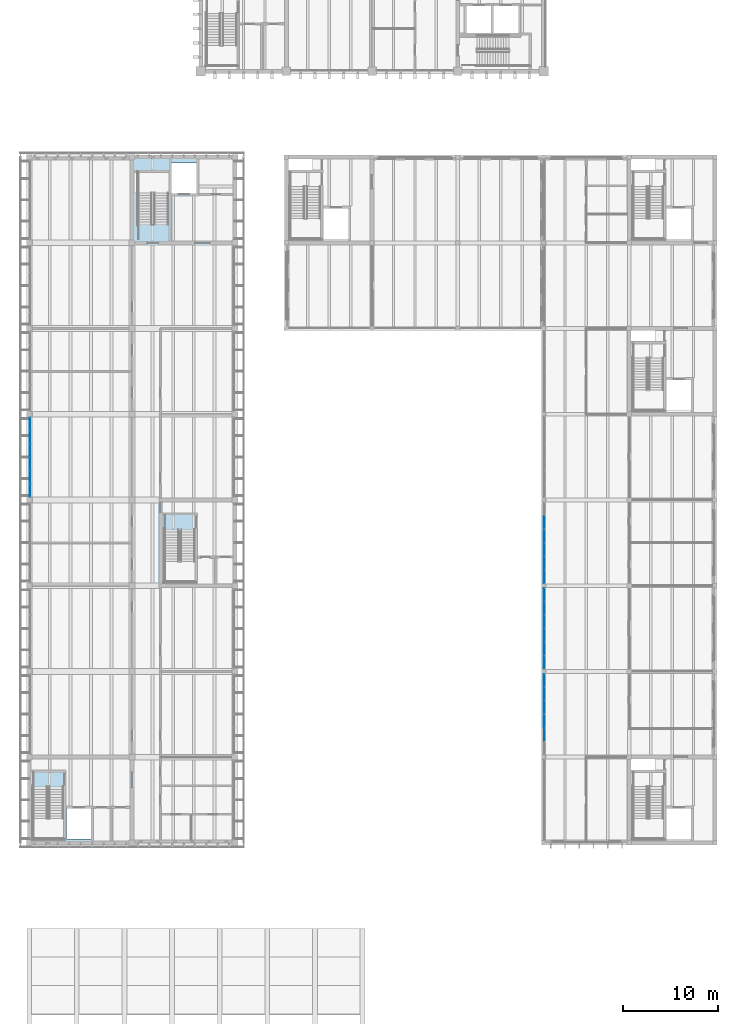
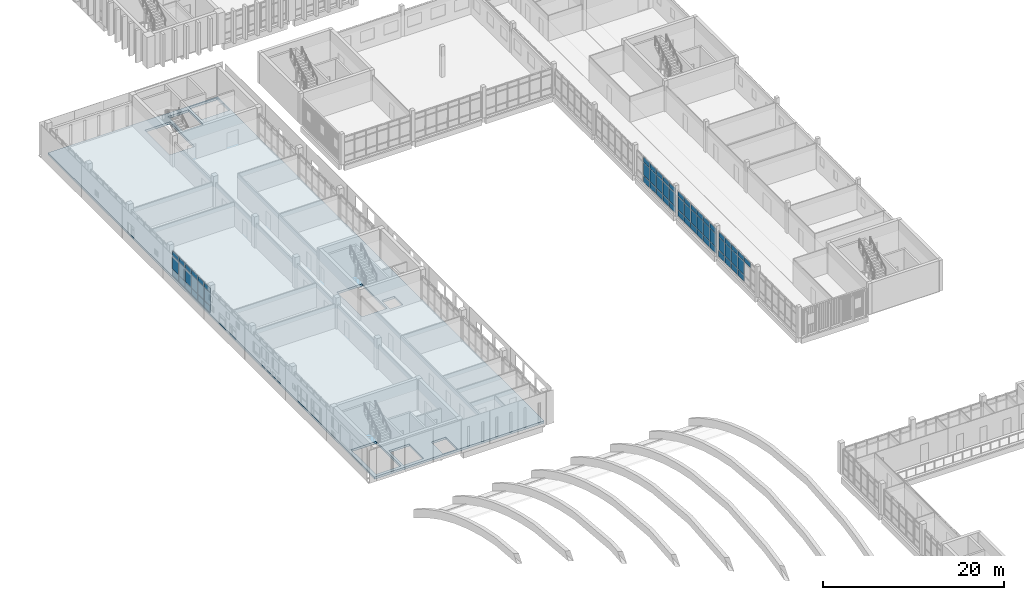
# One storey, part 42 of 88: 64 plates, 1 slab, 4 elements without a shape of their own.
"""IFC4 building model written with IfcOpenShell, lengths in metres."""

import ifcopenshell
import ifcopenshell.guid

model = None  # the IFC model being written
_history = None  # IfcOwnerHistory: only IFC2X3 demands one
_inside = {}  # id of a spatial element -> (the spatial element, [elements in it])
_under = {}  # id of a project, library or spatial element -> (it, [spatial elements below it])
_declared = {}  # id of a project -> (the project, [libraries it declares])
_typed = {}  # id of a type object -> (the type object, [elements of that type])
_made_of = {}  # id of a material, layer set ... -> (it, [elements and type objects made of it])


def new_model(schema):
    """Start an empty IFC model of exactly this schema.

    Asked for "IFC4X3", IfcOpenShell would pick the latest addendum, in which some entities
    have other attributes; the version numbers below select the first issue.
    IFC2X3 requires an IfcOwnerHistory on every rooted entity: one is made here for all.
    """
    global model, _history
    if schema == "IFC4X3":
        model = ifcopenshell.file(schema_version=(4, 3, 0, 0))
    else:
        model = ifcopenshell.file(schema=schema)
    _inside.clear()
    _under.clear()
    _declared.clear()
    _typed.clear()
    _made_of.clear()
    _history = None
    if model.schema == "IFC2X3":
        org = make("IfcOrganization", Name="unknown")
        user = make(
            "IfcPersonAndOrganization",
            ThePerson=make("IfcPerson", FamilyName="unknown"),
            TheOrganization=org,
        )
        app = make(
            "IfcApplication",
            ApplicationDeveloper=org,
            Version="unknown",
            ApplicationFullName="unknown",
            ApplicationIdentifier="unknown",
        )
        _history = make(
            "IfcOwnerHistory",
            OwningUser=user,
            OwningApplication=app,
            ChangeAction="ADDED",
            CreationDate=0,
        )
    return model


def make(cls, **values):
    """One entity of the class cls with the attributes given. An attribute that is None is left unset."""
    return model.create_entity(
        cls, **{name: value for name, value in values.items() if value is not None}
    )


def rooted(cls, **values):
    """An entity with a GlobalId (a new one), such as an element, a storey or a relation."""
    return make(cls, GlobalId=ifcopenshell.guid.new(), OwnerHistory=_history, **values)


def si_unit(unit_type, name, prefix=None):
    """IfcSIUnit, for example si_unit("LENGTHUNIT", "METRE", prefix="MILLI")."""
    return make("IfcSIUnit", UnitType=unit_type, Prefix=prefix, Name=name)


def assignment(units):
    """IfcUnitAssignment: the units of a project."""
    return None if units is None else make("IfcUnitAssignment", Units=units)


def point(xyz):
    """IfcCartesianPoint."""
    return None if xyz is None else make("IfcCartesianPoint", Coordinates=xyz)


def direction(xyz):
    """IfcDirection."""
    return None if xyz is None else make("IfcDirection", DirectionRatios=xyz)


def frame(location, z_axis=None, x_axis=None):
    """IfcAxis2Placement3D, a coordinate frame: its origin and axes. An axis left out is left unset."""
    return make(
        "IfcAxis2Placement3D",
        Location=point(location),
        Axis=direction(z_axis),
        RefDirection=direction(x_axis),
    )


def frame_2d(location, x_axis=None):
    """IfcAxis2Placement2D, a coordinate frame in the plane: its origin and x axis."""
    return make(
        "IfcAxis2Placement2D", Location=point(location), RefDirection=direction(x_axis)
    )


def origin():
    """The frame at (0, 0, 0) with its axes left unset."""
    return frame((0.0, 0.0, 0.0))


def origin_2d():
    """The frame at (0, 0) in the plane with its x axis left unset."""
    return frame_2d((0.0, 0.0))


def place(relative_to, where):
    """IfcLocalPlacement: puts the frame where relative to a parent placement (None: the world)."""
    return make(
        "IfcLocalPlacement", PlacementRelTo=relative_to, RelativePlacement=where
    )


def context(
    kind, dimensions, precision=None, world=None, true_north=None, identifier=None
):
    """IfcGeometricRepresentationContext, for example the 3D "Model" context."""
    return make(
        "IfcGeometricRepresentationContext",
        ContextIdentifier=identifier,
        ContextType=kind,
        CoordinateSpaceDimension=dimensions,
        Precision=precision,
        WorldCoordinateSystem=world,
        TrueNorth=true_north,
    )


def subcontext(parent, identifier, kind, view, scale=None):
    """IfcGeometricRepresentationSubContext, for example "Body" below "Model"."""
    return make(
        "IfcGeometricRepresentationSubContext",
        ContextIdentifier=identifier,
        ContextType=kind,
        ParentContext=parent,
        TargetScale=scale,
        TargetView=view,
    )


def project(units=None, contexts=None):
    """IfcProject with its units and contexts."""
    return rooted(
        "IfcProject",
        Name="project",
        RepresentationContexts=contexts,
        UnitsInContext=assignment(units),
    )


def spatial(cls, under=None, at=None, **own):
    """A site, building, storey or space (cls), placed at a placement, below another one or the project."""
    s = rooted(cls, ObjectPlacement=at, **own)
    if under is not None:
        _under.setdefault(under.id(), (under, []))[1].append(s)
    return s


def polyline(points):
    """IfcPolyline through the points."""
    return make("IfcPolyline", Points=[point(p) for p in points])


def profile(cls, at=None, kind="AREA", **sizes):
    """A parametric profile (cls). Its sizes go by their IFC names, for example OverallWidth=200.0."""
    return make(cls, ProfileType=kind, Position=at, **sizes)


def rectangle(**sizes):
    """IfcRectangleProfileDef."""
    return profile("IfcRectangleProfileDef", **sizes)


def outline(outer, holes=None, kind="AREA"):
    """IfcArbitraryClosedProfileDef: a profile drawn as a closed curve; with holes, ...WithVoids."""
    if holes is None:
        return make("IfcArbitraryClosedProfileDef", ProfileType=kind, OuterCurve=outer)
    return make(
        "IfcArbitraryProfileDefWithVoids",
        ProfileType=kind,
        OuterCurve=outer,
        InnerCurves=holes,
    )


def extrude(swept, where, along, depth):
    """IfcExtrudedAreaSolid: the profile swept, set in the frame where, extruded along a direction by depth."""
    return make(
        "IfcExtrudedAreaSolid",
        SweptArea=swept,
        Position=where,
        ExtrudedDirection=direction(along),
        Depth=depth,
    )


def shape(context_of_items, identifier, shape_type, items):
    """IfcShapeRepresentation: the items that make up one representation, for example the "Body"."""
    return make(
        "IfcShapeRepresentation",
        ContextOfItems=context_of_items,
        RepresentationIdentifier=identifier,
        RepresentationType=shape_type,
        Items=items,
    )


def material(Name=None, Category=None):
    """IfcMaterial."""
    return make("IfcMaterial", Name=Name, Category=Category)


def layer(
    of_material, thickness, ventilated=None, Name=None, Category=None, Priority=None
):
    """IfcMaterialLayer: one layer of a wall or slab, of a material (None: an air gap)."""
    return make(
        "IfcMaterialLayer",
        Material=of_material,
        LayerThickness=thickness,
        IsVentilated=ventilated,
        Name=Name,
        Category=Category,
        Priority=Priority,
    )


def layer_set(layers, Name=None):
    """IfcMaterialLayerSet."""
    return make("IfcMaterialLayerSet", MaterialLayers=layers, LayerSetName=Name)


def made_of(thing, what):
    """Note that an element or type object is made of a material, layer set ...; save() writes the relation."""
    if what is not None:
        _made_of.setdefault(what.id(), (what, []))[1].append(thing)
    return thing


def type_object(cls, material=None, **own):
    """A type object (cls), such as IfcWallType, which elements share."""
    return made_of(rooted(cls, **own), material)


def element(
    cls,
    number,
    at=None,
    inside=None,
    cuts=None,
    type_object=None,
    material=None,
    context=None,
    identifier="Body",
    shape_type=None,
    held_by="IfcProductDefinitionShape",
    body=None,
    shapes=None,
    **own,
):
    """One element of the class cls, such as IfcWall. Its Tag is "e" and its number.

    at: its placement. inside: the storey or other place that contains it. cuts: it is an
    opening in that element (IfcRelVoidsElement). A single representation is given by context,
    identifier, shape_type and body (its items); several are given by shapes. held_by: the class
    of the entity that holds the representations. save() writes the other relations.
    """
    e = rooted(cls, Tag="e%d" % number, ObjectPlacement=at, **own)
    if body is not None:
        shapes = [shape(context, identifier, shape_type, body)]
    if shapes is not None:
        e.Representation = make(held_by, Representations=shapes)
    if inside is not None:
        _inside.setdefault(inside.id(), (inside, []))[1].append(e)
    if cuts is not None:
        rooted(
            "IfcRelVoidsElement", RelatingBuildingElement=cuts, RelatedOpeningElement=e
        )
    if type_object is not None:
        _typed.setdefault(type_object.id(), (type_object, []))[1].append(e)
    return made_of(e, material)


def aggregate(whole, parts):
    """IfcRelAggregates: a whole, such as a stair, and the parts it consists of."""
    return rooted("IfcRelAggregates", RelatingObject=whole, RelatedObjects=parts)


def save(model, path):
    """Write the relations noted so far, then the file.

    IfcRelAggregates (storeys below a building ...), IfcRelContainedInSpatialStructure (elements
    in a storey), IfcRelDefinesByType, IfcRelAssociatesMaterial and IfcRelDeclares: one each for
    every whole, place, type object, material and project.
    """
    for whole, parts in _under.values():
        aggregate(whole, parts)
    for where, things in _inside.values():
        rooted(
            "IfcRelContainedInSpatialStructure",
            RelatedElements=things,
            RelatingStructure=where,
        )
    for kind, things in _typed.values():
        rooted("IfcRelDefinesByType", RelatedObjects=things, RelatingType=kind)
    for what, things in _made_of.values():
        rooted("IfcRelAssociatesMaterial", RelatedObjects=things, RelatingMaterial=what)
    for by, libraries in _declared.values():
        rooted("IfcRelDeclares", RelatingContext=by, RelatedDefinitions=libraries)
    model.write(path)


model = new_model("IFC4")

# Units and contexts
model_context = context("Model", 3, precision=1e-05, world=origin(), true_north=direction((0.0, 1.0)))
body_context = subcontext(model_context, "Body", "Model", "MODEL_VIEW")
ifc_project = project(units=[si_unit("LENGTHUNIT", "METRE"), si_unit("AREAUNIT", "SQUARE_METRE"), si_unit("VOLUMEUNIT", "CUBIC_METRE"), si_unit("PLANEANGLEUNIT", "RADIAN"), si_unit("MASSUNIT", "GRAM", prefix="KILO")], contexts=[model_context])

# Site, building, storey
site_placement = place(None, origin())
site = spatial("IfcSite", under=ifc_project, at=site_placement, CompositionType="ELEMENT")
building_placement = place(site_placement, origin())
building = spatial("IfcBuilding", under=site, at=building_placement, Name="Merrow Basin Faculty of Sciences", CompositionType="ELEMENT")
storey_placement = place(building_placement, frame((0.0, 0.0, 9.0)))
storey = spatial("IfcBuildingStorey", under=building, at=storey_placement, Name="L02", CompositionType="ELEMENT", Elevation=9.0)

# Slab
ifc_material_1 = material(Name="Concrete C40/50", Category="concrete")
ifc_layer_1 = layer(ifc_material_1, 0.300048828125)
ifc_layer_set_1 = layer_set([ifc_layer_1], Name="Floor slab 300 Concrete C40/50")
slab_type = type_object("IfcSlabType", Name="Floor slab 300 Concrete C40/50", PredefinedType="FLOOR", material=ifc_layer_set_1)
slab_placement = place(storey_placement, frame((0.0, 0.0, -0.300048828125)))
element("IfcSlab", 1, at=slab_placement, inside=storey, type_object=slab_type, Name="SL11 floor L02 001", PredefinedType="FLOOR", context=body_context, shape_type="SweptSolid", body=[
    extrude(outline(polyline([(21.60009765625, 133.0), (21.60009765625, 61.0), (0.0, 61.0), (0.0, 133.0), (21.60009765625, 133.0)]), holes=[polyline([(21.449951171875, 130.074951171875), (21.449951171875, 132.85009765625), (17.824951171875, 132.85009765625), (17.824951171875, 130.074951171875), (21.449951171875, 130.074951171875)]), polyline([(19.2890625, 88.14990234375), (19.2890625, 90.0), (17.675048828125, 90.0), (17.675048828125, 88.14990234375), (19.2890625, 88.14990234375)]), polyline([(17.550048828125, 129.199951171875), (17.550048828125, 132.39990234375), (14.949951171875, 132.39990234375), (14.949951171875, 129.199951171875), (17.550048828125, 129.199951171875)]), polyline([(17.39990234375, 88.39990234375), (17.39990234375, 93.85009765625), (14.199951171875, 93.85009765625), (14.199951171875, 88.39990234375), (17.39990234375, 88.39990234375)]), polyline([(14.60009765625, 125.949951171875), (14.60009765625, 131.39990234375), (11.39990234375, 131.39990234375), (11.39990234375, 125.949951171875), (14.60009765625, 125.949951171875)]), polyline([(10.64990234375, 61.14990234375), (10.64990234375, 63.72509765625), (8.791015625, 63.72509765625), (8.791015625, 61.14990234375), (10.64990234375, 61.14990234375)]), polyline([(6.5, 61.39990234375), (6.5, 64.60009765625), (3.89990234375, 64.60009765625), (3.89990234375, 61.39990234375), (6.5, 61.39990234375)]), polyline([(3.60009765625, 61.39990234375), (3.60009765625, 66.85009765625), (0.39990234375, 66.85009765625), (0.39990234375, 61.39990234375), (3.60009765625, 61.39990234375)])]), origin(), (0.0, 0.0, 1.0), 0.300048828125),
])

# Curtain wall, plates
ifc_material_2 = material(Name="Aluminium alloy 6063", Category="aluminium")
curtain_wall_type_1 = type_object("IfcCurtainWallType", Name="Bar unitised curtain wall 180", PredefinedType="NOTDEFINED", material=ifc_material_2)
curtain_wall_1_placement = place(storey_placement, origin())
curtain_wall_1 = element("IfcCurtainWall", 2, at=curtain_wall_1_placement, inside=storey, type_object=curtain_wall_type_1, Name="West curtain wall L02 4", PredefinedType="NOTDEFINED")
ifc_material_3 = material(Name="Insulated aluminium spandrel panel", Category="aluminium")
ifc_layer_2 = layer(ifc_material_3, 0.052001953125)
ifc_layer_set_2 = layer_set([ifc_layer_2], Name="Insulated spandrel panel 52")
plate_type_1 = type_object("IfcPlateType", Name="Insulated spandrel panel 52", PredefinedType="CURTAIN_PANEL", material=ifc_layer_set_2)
plate_1_placement = place(storey_placement, frame((0.090087890625, 98.014892578125, 0.06005859375), z_axis=(0.0, 0.0, 1.0), x_axis=(0.0, 1.0, 0.0)))
plate_1 = element("IfcPlate", 3, at=plate_1_placement, type_object=plate_type_1, Name="CW1 panel 1.1", PredefinedType="CURTAIN_PANEL", context=body_context, shape_type="SweptSolid", body=[
    extrude(rectangle(XDim=1.31005859375, YDim=0.052001953125, at=origin_2d()), origin(), (0.0, 0.0, 1.0), 0.81005859375),
])
plate_2_placement = place(storey_placement, frame((0.090087890625, 99.39990234375, 0.06005859375), z_axis=(0.0, 0.0, 1.0), x_axis=(0.0, 1.0, 0.0)))
plate_2 = element("IfcPlate", 4, at=plate_2_placement, type_object=plate_type_1, Name="CW1 panel 2.1", PredefinedType="CURTAIN_PANEL", context=body_context, shape_type="SweptSolid", body=[
    extrude(rectangle(XDim=1.340087890625, YDim=0.052001953125, at=origin_2d()), origin(), (0.0, 0.0, 1.0), 0.81005859375),
])
plate_3_placement = place(storey_placement, frame((0.090087890625, 100.800048828125, 0.06005859375), z_axis=(0.0, 0.0, 1.0), x_axis=(0.0, 1.0, 0.0)))
plate_3 = element("IfcPlate", 5, at=plate_3_placement, type_object=plate_type_1, Name="CW1 panel 3.1", PredefinedType="CURTAIN_PANEL", context=body_context, shape_type="SweptSolid", body=[
    extrude(rectangle(XDim=1.340087890625, YDim=0.052001953125, at=origin_2d()), origin(), (0.0, 0.0, 1.0), 0.81005859375),
])
plate_4_placement = place(storey_placement, frame((0.090087890625, 102.199951171875, 0.06005859375), z_axis=(0.0, 0.0, 1.0), x_axis=(0.0, 1.0, 0.0)))
plate_4 = element("IfcPlate", 6, at=plate_4_placement, type_object=plate_type_1, Name="CW1 panel 4.1", PredefinedType="CURTAIN_PANEL", context=body_context, shape_type="SweptSolid", body=[
    extrude(rectangle(XDim=1.340087890625, YDim=0.052001953125, at=origin_2d()), origin(), (0.0, 0.0, 1.0), 0.81005859375),
])
plate_5_placement = place(storey_placement, frame((0.090087890625, 103.60009765625, 0.06005859375), z_axis=(0.0, 0.0, 1.0), x_axis=(0.0, 1.0, 0.0)))
plate_5 = element("IfcPlate", 7, at=plate_5_placement, type_object=plate_type_1, Name="CW1 panel 5.1", PredefinedType="CURTAIN_PANEL", context=body_context, shape_type="SweptSolid", body=[
    extrude(rectangle(XDim=1.340087890625, YDim=0.052001953125, at=origin_2d()), origin(), (0.0, 0.0, 1.0), 0.81005859375),
])
plate_6_placement = place(storey_placement, frame((0.090087890625, 104.985107421875, 0.06005859375), z_axis=(0.0, 0.0, 1.0), x_axis=(0.0, 1.0, 0.0)))
plate_6 = element("IfcPlate", 8, at=plate_6_placement, type_object=plate_type_1, Name="CW1 panel 6.1", PredefinedType="CURTAIN_PANEL", context=body_context, shape_type="SweptSolid", body=[
    extrude(rectangle(XDim=1.31005859375, YDim=0.052001953125, at=origin_2d()), origin(), (0.0, 0.0, 1.0), 0.81005859375),
])

ifc_material_4 = material(Name="Aluminium alloy 6063", Category="aluminium")
curtain_wall_type_2 = type_object("IfcCurtainWallType", Name="Court curtain wall 140", PredefinedType="NOTDEFINED", material=ifc_material_4)
curtain_wall_2_placement = place(storey_placement, origin())
curtain_wall_2 = element("IfcCurtainWall", 9, at=curtain_wall_2_placement, inside=storey, type_object=curtain_wall_type_2, Name="Court curtain wall L02 2", PredefinedType="NOTDEFINED")
plate_7_placement = place(storey_placement, frame((54.070068359375, 73.78759765625, 0.06005859375), z_axis=(0.0, 0.0, 1.0), x_axis=(0.0, 1.0, 0.0)))
plate_7 = element("IfcPlate", 10, at=plate_7_placement, type_object=plate_type_1, Name="CW8 panel 3.1", PredefinedType="CURTAIN_PANEL", context=body_context, shape_type="SweptSolid", body=[
    extrude(rectangle(XDim=1.364990234375, YDim=0.052001953125, at=origin_2d()), origin(), (0.0, 0.0, 1.0), 0.81005859375),
])
plate_8_placement = place(storey_placement, frame((54.070068359375, 75.21240234375, 0.06005859375), z_axis=(0.0, 0.0, 1.0), x_axis=(0.0, 1.0, 0.0)))
plate_8 = element("IfcPlate", 11, at=plate_8_placement, type_object=plate_type_1, Name="CW8 panel 4.1", PredefinedType="CURTAIN_PANEL", context=body_context, shape_type="SweptSolid", body=[
    extrude(rectangle(XDim=1.364990234375, YDim=0.052001953125, at=origin_2d()), origin(), (0.0, 0.0, 1.0), 0.81005859375),
])
plate_9_placement = place(storey_placement, frame((54.070068359375, 76.637451171875, 0.06005859375), z_axis=(0.0, 0.0, 1.0), x_axis=(0.0, 1.0, 0.0)))
plate_9 = element("IfcPlate", 12, at=plate_9_placement, type_object=plate_type_1, Name="CW8 panel 5.1", PredefinedType="CURTAIN_PANEL", context=body_context, shape_type="SweptSolid", body=[
    extrude(rectangle(XDim=1.364990234375, YDim=0.052001953125, at=origin_2d()), origin(), (0.0, 0.0, 1.0), 0.81005859375),
])
plate_10_placement = place(storey_placement, frame((54.070068359375, 78.047607421875, 0.06005859375), z_axis=(0.0, 0.0, 1.0), x_axis=(0.0, 1.0, 0.0)))
plate_10 = element("IfcPlate", 13, at=plate_10_placement, type_object=plate_type_1, Name="CW8 panel 6.1", PredefinedType="CURTAIN_PANEL", context=body_context, shape_type="SweptSolid", body=[
    extrude(rectangle(XDim=1.3349609375, YDim=0.052001953125, at=origin_2d()), origin(), (0.0, 0.0, 1.0), 0.81005859375),
])

curtain_wall_3_placement = place(storey_placement, origin())
curtain_wall_3 = element("IfcCurtainWall", 14, at=curtain_wall_3_placement, inside=storey, type_object=curtain_wall_type_2, Name="Court curtain wall L02 3", PredefinedType="NOTDEFINED")
plate_11_placement = place(storey_placement, frame((54.070068359375, 79.952392578125, 0.06005859375), z_axis=(0.0, 0.0, 1.0), x_axis=(0.0, 1.0, 0.0)))
plate_11 = element("IfcPlate", 15, at=plate_11_placement, type_object=plate_type_1, Name="CW8 panel 1.1", PredefinedType="CURTAIN_PANEL", context=body_context, shape_type="SweptSolid", body=[
    extrude(rectangle(XDim=1.3349609375, YDim=0.052001953125, at=origin_2d()), origin(), (0.0, 0.0, 1.0), 0.81005859375),
])
plate_12_placement = place(storey_placement, frame((54.070068359375, 81.362548828125, 0.06005859375), z_axis=(0.0, 0.0, 1.0), x_axis=(0.0, 1.0, 0.0)))
plate_12 = element("IfcPlate", 16, at=plate_12_placement, type_object=plate_type_1, Name="CW8 panel 2.1", PredefinedType="CURTAIN_PANEL", context=body_context, shape_type="SweptSolid", body=[
    extrude(rectangle(XDim=1.364990234375, YDim=0.052001953125, at=origin_2d()), origin(), (0.0, 0.0, 1.0), 0.81005859375),
])
plate_13_placement = place(storey_placement, frame((54.070068359375, 82.78759765625, 0.06005859375), z_axis=(0.0, 0.0, 1.0), x_axis=(0.0, 1.0, 0.0)))
plate_13 = element("IfcPlate", 17, at=plate_13_placement, type_object=plate_type_1, Name="CW8 panel 3.1", PredefinedType="CURTAIN_PANEL", context=body_context, shape_type="SweptSolid", body=[
    extrude(rectangle(XDim=1.364990234375, YDim=0.052001953125, at=origin_2d()), origin(), (0.0, 0.0, 1.0), 0.81005859375),
])
plate_14_placement = place(storey_placement, frame((54.070068359375, 84.21240234375, 0.06005859375), z_axis=(0.0, 0.0, 1.0), x_axis=(0.0, 1.0, 0.0)))
plate_14 = element("IfcPlate", 18, at=plate_14_placement, type_object=plate_type_1, Name="CW8 panel 4.1", PredefinedType="CURTAIN_PANEL", context=body_context, shape_type="SweptSolid", body=[
    extrude(rectangle(XDim=1.364990234375, YDim=0.052001953125, at=origin_2d()), origin(), (0.0, 0.0, 1.0), 0.81005859375),
])
plate_15_placement = place(storey_placement, frame((54.070068359375, 85.637451171875, 0.06005859375), z_axis=(0.0, 0.0, 1.0), x_axis=(0.0, 1.0, 0.0)))
plate_15 = element("IfcPlate", 19, at=plate_15_placement, type_object=plate_type_1, Name="CW8 panel 5.1", PredefinedType="CURTAIN_PANEL", context=body_context, shape_type="SweptSolid", body=[
    extrude(rectangle(XDim=1.364990234375, YDim=0.052001953125, at=origin_2d()), origin(), (0.0, 0.0, 1.0), 0.81005859375),
])
plate_16_placement = place(storey_placement, frame((54.070068359375, 87.047607421875, 0.06005859375), z_axis=(0.0, 0.0, 1.0), x_axis=(0.0, 1.0, 0.0)))
plate_16 = element("IfcPlate", 20, at=plate_16_placement, type_object=plate_type_1, Name="CW8 panel 6.1", PredefinedType="CURTAIN_PANEL", context=body_context, shape_type="SweptSolid", body=[
    extrude(rectangle(XDim=1.3349609375, YDim=0.052001953125, at=origin_2d()), origin(), (0.0, 0.0, 1.0), 0.81005859375),
])

curtain_wall_4_placement = place(storey_placement, origin())
curtain_wall_4 = element("IfcCurtainWall", 21, at=curtain_wall_4_placement, inside=storey, type_object=curtain_wall_type_2, Name="Court curtain wall L02 4", PredefinedType="NOTDEFINED")
plate_17_placement = place(storey_placement, frame((54.070068359375, 88.952392578125, 0.06005859375), z_axis=(0.0, 0.0, 1.0), x_axis=(0.0, 1.0, 0.0)))
plate_17 = element("IfcPlate", 22, at=plate_17_placement, type_object=plate_type_1, Name="CW8 panel 1.1", PredefinedType="CURTAIN_PANEL", context=body_context, shape_type="SweptSolid", body=[
    extrude(rectangle(XDim=1.3349609375, YDim=0.052001953125, at=origin_2d()), origin(), (0.0, 0.0, 1.0), 0.81005859375),
])
plate_18_placement = place(storey_placement, frame((54.070068359375, 90.362548828125, 0.06005859375), z_axis=(0.0, 0.0, 1.0), x_axis=(0.0, 1.0, 0.0)))
plate_18 = element("IfcPlate", 23, at=plate_18_placement, type_object=plate_type_1, Name="CW8 panel 2.1", PredefinedType="CURTAIN_PANEL", context=body_context, shape_type="SweptSolid", body=[
    extrude(rectangle(XDim=1.364990234375, YDim=0.052001953125, at=origin_2d()), origin(), (0.0, 0.0, 1.0), 0.81005859375),
])
plate_19_placement = place(storey_placement, frame((54.070068359375, 91.78759765625, 0.06005859375), z_axis=(0.0, 0.0, 1.0), x_axis=(0.0, 1.0, 0.0)))
plate_19 = element("IfcPlate", 24, at=plate_19_placement, type_object=plate_type_1, Name="CW8 panel 3.1", PredefinedType="CURTAIN_PANEL", context=body_context, shape_type="SweptSolid", body=[
    extrude(rectangle(XDim=1.364990234375, YDim=0.052001953125, at=origin_2d()), origin(), (0.0, 0.0, 1.0), 0.81005859375),
])
plate_20_placement = place(storey_placement, frame((54.070068359375, 93.21240234375, 0.06005859375), z_axis=(0.0, 0.0, 1.0), x_axis=(0.0, 1.0, 0.0)))
plate_20 = element("IfcPlate", 25, at=plate_20_placement, type_object=plate_type_1, Name="CW8 panel 4.1", PredefinedType="CURTAIN_PANEL", context=body_context, shape_type="SweptSolid", body=[
    extrude(rectangle(XDim=1.364990234375, YDim=0.052001953125, at=origin_2d()), origin(), (0.0, 0.0, 1.0), 0.81005859375),
])
plate_21_placement = place(storey_placement, frame((54.070068359375, 94.637451171875, 0.06005859375), z_axis=(0.0, 0.0, 1.0), x_axis=(0.0, 1.0, 0.0)))
plate_21 = element("IfcPlate", 26, at=plate_21_placement, type_object=plate_type_1, Name="CW8 panel 5.1", PredefinedType="CURTAIN_PANEL", context=body_context, shape_type="SweptSolid", body=[
    extrude(rectangle(XDim=1.364990234375, YDim=0.052001953125, at=origin_2d()), origin(), (0.0, 0.0, 1.0), 0.81005859375),
])

# Plate
ifc_material_5 = material(Name="Low-E double glazing", Category="glass")
ifc_layer_3 = layer(ifc_material_5, 0.028076171875)
ifc_layer_set_3 = layer_set([ifc_layer_3], Name="Low-E double glazed panel 28")
plate_type_2 = type_object("IfcPlateType", Name="Low-E double glazed panel 28", PredefinedType="CURTAIN_PANEL", material=ifc_layer_set_3)
plate_22_placement = place(storey_placement, frame((0.090087890625, 98.014892578125, 0.93017578125), z_axis=(0.0, 0.0, 1.0), x_axis=(0.0, 1.0, 0.0)))
plate_22 = element("IfcPlate", 27, at=plate_22_placement, type_object=plate_type_2, Name="CW1 panel 1.2", PredefinedType="CURTAIN_PANEL", context=body_context, shape_type="SweptSolid", body=[
    extrude(rectangle(XDim=1.31005859375, YDim=0.028076171875, at=origin_2d()), origin(), (0.0, 0.0, 1.0), 1.739990234375),
])

plate_23_placement = place(storey_placement, frame((0.090087890625, 98.014892578125, 2.72998046875), z_axis=(0.0, 0.0, 1.0), x_axis=(0.0, 1.0, 0.0)))
plate_23 = element("IfcPlate", 28, at=plate_23_placement, type_object=plate_type_2, Name="CW1 panel 1.3", PredefinedType="CURTAIN_PANEL", context=body_context, shape_type="SweptSolid", body=[
    extrude(rectangle(XDim=1.31005859375, YDim=0.028076171875, at=origin_2d()), origin(), (0.0, 0.0, 1.0), 0.610107421875),
])

plate_24_placement = place(storey_placement, frame((0.090087890625, 99.39990234375, 0.93017578125), z_axis=(0.0, 0.0, 1.0), x_axis=(0.0, 1.0, 0.0)))
plate_24 = element("IfcPlate", 29, at=plate_24_placement, type_object=plate_type_2, Name="CW1 panel 2.2", PredefinedType="CURTAIN_PANEL", context=body_context, shape_type="SweptSolid", body=[
    extrude(rectangle(XDim=1.340087890625, YDim=0.028076171875, at=origin_2d()), origin(), (0.0, 0.0, 1.0), 1.739990234375),
])

plate_25_placement = place(storey_placement, frame((0.090087890625, 99.39990234375, 2.72998046875), z_axis=(0.0, 0.0, 1.0), x_axis=(0.0, 1.0, 0.0)))
plate_25 = element("IfcPlate", 30, at=plate_25_placement, type_object=plate_type_2, Name="CW1 panel 2.3", PredefinedType="CURTAIN_PANEL", context=body_context, shape_type="SweptSolid", body=[
    extrude(rectangle(XDim=1.340087890625, YDim=0.028076171875, at=origin_2d()), origin(), (0.0, 0.0, 1.0), 0.610107421875),
])

plate_26_placement = place(storey_placement, frame((0.090087890625, 100.800048828125, 0.93017578125), z_axis=(0.0, 0.0, 1.0), x_axis=(0.0, 1.0, 0.0)))
plate_26 = element("IfcPlate", 31, at=plate_26_placement, type_object=plate_type_2, Name="CW1 panel 3.2", PredefinedType="CURTAIN_PANEL", context=body_context, shape_type="SweptSolid", body=[
    extrude(rectangle(XDim=1.340087890625, YDim=0.028076171875, at=origin_2d()), origin(), (0.0, 0.0, 1.0), 1.739990234375),
])

plate_27_placement = place(storey_placement, frame((0.090087890625, 100.800048828125, 2.72998046875), z_axis=(0.0, 0.0, 1.0), x_axis=(0.0, 1.0, 0.0)))
plate_27 = element("IfcPlate", 32, at=plate_27_placement, type_object=plate_type_2, Name="CW1 panel 3.3", PredefinedType="CURTAIN_PANEL", context=body_context, shape_type="SweptSolid", body=[
    extrude(rectangle(XDim=1.340087890625, YDim=0.028076171875, at=origin_2d()), origin(), (0.0, 0.0, 1.0), 0.610107421875),
])

plate_28_placement = place(storey_placement, frame((0.090087890625, 102.199951171875, 0.93017578125), z_axis=(0.0, 0.0, 1.0), x_axis=(0.0, 1.0, 0.0)))
plate_28 = element("IfcPlate", 33, at=plate_28_placement, type_object=plate_type_2, Name="CW1 panel 4.2", PredefinedType="CURTAIN_PANEL", context=body_context, shape_type="SweptSolid", body=[
    extrude(rectangle(XDim=1.340087890625, YDim=0.028076171875, at=origin_2d()), origin(), (0.0, 0.0, 1.0), 1.739990234375),
])

plate_29_placement = place(storey_placement, frame((0.090087890625, 102.199951171875, 2.72998046875), z_axis=(0.0, 0.0, 1.0), x_axis=(0.0, 1.0, 0.0)))
plate_29 = element("IfcPlate", 34, at=plate_29_placement, type_object=plate_type_2, Name="CW1 panel 4.3", PredefinedType="CURTAIN_PANEL", context=body_context, shape_type="SweptSolid", body=[
    extrude(rectangle(XDim=1.340087890625, YDim=0.028076171875, at=origin_2d()), origin(), (0.0, 0.0, 1.0), 0.610107421875),
])

plate_30_placement = place(storey_placement, frame((0.090087890625, 103.60009765625, 0.93017578125), z_axis=(0.0, 0.0, 1.0), x_axis=(0.0, 1.0, 0.0)))
plate_30 = element("IfcPlate", 35, at=plate_30_placement, type_object=plate_type_2, Name="CW1 panel 5.2", PredefinedType="CURTAIN_PANEL", context=body_context, shape_type="SweptSolid", body=[
    extrude(rectangle(XDim=1.340087890625, YDim=0.028076171875, at=origin_2d()), origin(), (0.0, 0.0, 1.0), 1.739990234375),
])

plate_31_placement = place(storey_placement, frame((0.090087890625, 103.60009765625, 2.72998046875), z_axis=(0.0, 0.0, 1.0), x_axis=(0.0, 1.0, 0.0)))
plate_31 = element("IfcPlate", 36, at=plate_31_placement, type_object=plate_type_2, Name="CW1 panel 5.3", PredefinedType="CURTAIN_PANEL", context=body_context, shape_type="SweptSolid", body=[
    extrude(rectangle(XDim=1.340087890625, YDim=0.028076171875, at=origin_2d()), origin(), (0.0, 0.0, 1.0), 0.610107421875),
])

plate_32_placement = place(storey_placement, frame((0.090087890625, 104.985107421875, 0.93017578125), z_axis=(0.0, 0.0, 1.0), x_axis=(0.0, 1.0, 0.0)))
plate_32 = element("IfcPlate", 37, at=plate_32_placement, type_object=plate_type_2, Name="CW1 panel 6.2", PredefinedType="CURTAIN_PANEL", context=body_context, shape_type="SweptSolid", body=[
    extrude(rectangle(XDim=1.31005859375, YDim=0.028076171875, at=origin_2d()), origin(), (0.0, 0.0, 1.0), 1.739990234375),
])

plate_33_placement = place(storey_placement, frame((0.090087890625, 104.985107421875, 2.72998046875), z_axis=(0.0, 0.0, 1.0), x_axis=(0.0, 1.0, 0.0)))
plate_33 = element("IfcPlate", 38, at=plate_33_placement, type_object=plate_type_2, Name="CW1 panel 6.3", PredefinedType="CURTAIN_PANEL", context=body_context, shape_type="SweptSolid", body=[
    extrude(rectangle(XDim=1.31005859375, YDim=0.028076171875, at=origin_2d()), origin(), (0.0, 0.0, 1.0), 0.610107421875),
])

aggregate(curtain_wall_1, [plate_1, plate_22, plate_23, plate_2, plate_24, plate_25, plate_3, plate_26, plate_27, plate_4, plate_28, plate_29, plate_5, plate_30, plate_31, plate_6, plate_32, plate_33])

plate_34_placement = place(storey_placement, frame((54.070068359375, 72.362548828125, 2.72998046875), z_axis=(0.0, 0.0, 1.0), x_axis=(0.0, 1.0, 0.0)))
plate_34 = element("IfcPlate", 39, at=plate_34_placement, type_object=plate_type_2, Name="CW8 panel 2.3", PredefinedType="CURTAIN_PANEL", context=body_context, shape_type="SweptSolid", body=[
    extrude(rectangle(XDim=1.364990234375, YDim=0.028076171875, at=origin_2d()), origin(), (0.0, 0.0, 1.0), 0.659912109375),
])

plate_35_placement = place(storey_placement, frame((54.070068359375, 73.78759765625, 0.93017578125), z_axis=(0.0, 0.0, 1.0), x_axis=(0.0, 1.0, 0.0)))
plate_35 = element("IfcPlate", 40, at=plate_35_placement, type_object=plate_type_2, Name="CW8 panel 3.2", PredefinedType="CURTAIN_PANEL", context=body_context, shape_type="SweptSolid", body=[
    extrude(rectangle(XDim=1.364990234375, YDim=0.028076171875, at=origin_2d()), origin(), (0.0, 0.0, 1.0), 1.739990234375),
])

plate_36_placement = place(storey_placement, frame((54.070068359375, 73.78759765625, 2.72998046875), z_axis=(0.0, 0.0, 1.0), x_axis=(0.0, 1.0, 0.0)))
plate_36 = element("IfcPlate", 41, at=plate_36_placement, type_object=plate_type_2, Name="CW8 panel 3.3", PredefinedType="CURTAIN_PANEL", context=body_context, shape_type="SweptSolid", body=[
    extrude(rectangle(XDim=1.364990234375, YDim=0.028076171875, at=origin_2d()), origin(), (0.0, 0.0, 1.0), 0.659912109375),
])

plate_37_placement = place(storey_placement, frame((54.070068359375, 75.21240234375, 0.93017578125), z_axis=(0.0, 0.0, 1.0), x_axis=(0.0, 1.0, 0.0)))
plate_37 = element("IfcPlate", 42, at=plate_37_placement, type_object=plate_type_2, Name="CW8 panel 4.2", PredefinedType="CURTAIN_PANEL", context=body_context, shape_type="SweptSolid", body=[
    extrude(rectangle(XDim=1.364990234375, YDim=0.028076171875, at=origin_2d()), origin(), (0.0, 0.0, 1.0), 1.739990234375),
])

plate_38_placement = place(storey_placement, frame((54.070068359375, 75.21240234375, 2.72998046875), z_axis=(0.0, 0.0, 1.0), x_axis=(0.0, 1.0, 0.0)))
plate_38 = element("IfcPlate", 43, at=plate_38_placement, type_object=plate_type_2, Name="CW8 panel 4.3", PredefinedType="CURTAIN_PANEL", context=body_context, shape_type="SweptSolid", body=[
    extrude(rectangle(XDim=1.364990234375, YDim=0.028076171875, at=origin_2d()), origin(), (0.0, 0.0, 1.0), 0.659912109375),
])

plate_39_placement = place(storey_placement, frame((54.070068359375, 76.637451171875, 0.93017578125), z_axis=(0.0, 0.0, 1.0), x_axis=(0.0, 1.0, 0.0)))
plate_39 = element("IfcPlate", 44, at=plate_39_placement, type_object=plate_type_2, Name="CW8 panel 5.2", PredefinedType="CURTAIN_PANEL", context=body_context, shape_type="SweptSolid", body=[
    extrude(rectangle(XDim=1.364990234375, YDim=0.028076171875, at=origin_2d()), origin(), (0.0, 0.0, 1.0), 1.739990234375),
])

plate_40_placement = place(storey_placement, frame((54.070068359375, 76.637451171875, 2.72998046875), z_axis=(0.0, 0.0, 1.0), x_axis=(0.0, 1.0, 0.0)))
plate_40 = element("IfcPlate", 45, at=plate_40_placement, type_object=plate_type_2, Name="CW8 panel 5.3", PredefinedType="CURTAIN_PANEL", context=body_context, shape_type="SweptSolid", body=[
    extrude(rectangle(XDim=1.364990234375, YDim=0.028076171875, at=origin_2d()), origin(), (0.0, 0.0, 1.0), 0.659912109375),
])

plate_41_placement = place(storey_placement, frame((54.070068359375, 78.047607421875, 0.93017578125), z_axis=(0.0, 0.0, 1.0), x_axis=(0.0, 1.0, 0.0)))
plate_41 = element("IfcPlate", 46, at=plate_41_placement, type_object=plate_type_2, Name="CW8 panel 6.2", PredefinedType="CURTAIN_PANEL", context=body_context, shape_type="SweptSolid", body=[
    extrude(rectangle(XDim=1.3349609375, YDim=0.028076171875, at=origin_2d()), origin(), (0.0, 0.0, 1.0), 1.739990234375),
])

plate_42_placement = place(storey_placement, frame((54.070068359375, 78.047607421875, 2.72998046875), z_axis=(0.0, 0.0, 1.0), x_axis=(0.0, 1.0, 0.0)))
plate_42 = element("IfcPlate", 47, at=plate_42_placement, type_object=plate_type_2, Name="CW8 panel 6.3", PredefinedType="CURTAIN_PANEL", context=body_context, shape_type="SweptSolid", body=[
    extrude(rectangle(XDim=1.3349609375, YDim=0.028076171875, at=origin_2d()), origin(), (0.0, 0.0, 1.0), 0.659912109375),
])

aggregate(curtain_wall_2, [plate_34, plate_7, plate_35, plate_36, plate_8, plate_37, plate_38, plate_9, plate_39, plate_40, plate_10, plate_41, plate_42])

plate_43_placement = place(storey_placement, frame((54.070068359375, 79.952392578125, 0.93017578125), z_axis=(0.0, 0.0, 1.0), x_axis=(0.0, 1.0, 0.0)))
plate_43 = element("IfcPlate", 48, at=plate_43_placement, type_object=plate_type_2, Name="CW8 panel 1.2", PredefinedType="CURTAIN_PANEL", context=body_context, shape_type="SweptSolid", body=[
    extrude(rectangle(XDim=1.3349609375, YDim=0.028076171875, at=origin_2d()), origin(), (0.0, 0.0, 1.0), 1.739990234375),
])

plate_44_placement = place(storey_placement, frame((54.070068359375, 79.952392578125, 2.72998046875), z_axis=(0.0, 0.0, 1.0), x_axis=(0.0, 1.0, 0.0)))
plate_44 = element("IfcPlate", 49, at=plate_44_placement, type_object=plate_type_2, Name="CW8 panel 1.3", PredefinedType="CURTAIN_PANEL", context=body_context, shape_type="SweptSolid", body=[
    extrude(rectangle(XDim=1.3349609375, YDim=0.028076171875, at=origin_2d()), origin(), (0.0, 0.0, 1.0), 0.659912109375),
])

plate_45_placement = place(storey_placement, frame((54.070068359375, 81.362548828125, 0.93017578125), z_axis=(0.0, 0.0, 1.0), x_axis=(0.0, 1.0, 0.0)))
plate_45 = element("IfcPlate", 50, at=plate_45_placement, type_object=plate_type_2, Name="CW8 panel 2.2", PredefinedType="CURTAIN_PANEL", context=body_context, shape_type="SweptSolid", body=[
    extrude(rectangle(XDim=1.364990234375, YDim=0.028076171875, at=origin_2d()), origin(), (0.0, 0.0, 1.0), 1.739990234375),
])

plate_46_placement = place(storey_placement, frame((54.070068359375, 81.362548828125, 2.72998046875), z_axis=(0.0, 0.0, 1.0), x_axis=(0.0, 1.0, 0.0)))
plate_46 = element("IfcPlate", 51, at=plate_46_placement, type_object=plate_type_2, Name="CW8 panel 2.3", PredefinedType="CURTAIN_PANEL", context=body_context, shape_type="SweptSolid", body=[
    extrude(rectangle(XDim=1.364990234375, YDim=0.028076171875, at=origin_2d()), origin(), (0.0, 0.0, 1.0), 0.659912109375),
])

plate_47_placement = place(storey_placement, frame((54.070068359375, 82.78759765625, 0.93017578125), z_axis=(0.0, 0.0, 1.0), x_axis=(0.0, 1.0, 0.0)))
plate_47 = element("IfcPlate", 52, at=plate_47_placement, type_object=plate_type_2, Name="CW8 panel 3.2", PredefinedType="CURTAIN_PANEL", context=body_context, shape_type="SweptSolid", body=[
    extrude(rectangle(XDim=1.364990234375, YDim=0.028076171875, at=origin_2d()), origin(), (0.0, 0.0, 1.0), 1.739990234375),
])

plate_48_placement = place(storey_placement, frame((54.070068359375, 82.78759765625, 2.72998046875), z_axis=(0.0, 0.0, 1.0), x_axis=(0.0, 1.0, 0.0)))
plate_48 = element("IfcPlate", 53, at=plate_48_placement, type_object=plate_type_2, Name="CW8 panel 3.3", PredefinedType="CURTAIN_PANEL", context=body_context, shape_type="SweptSolid", body=[
    extrude(rectangle(XDim=1.364990234375, YDim=0.028076171875, at=origin_2d()), origin(), (0.0, 0.0, 1.0), 0.659912109375),
])

plate_49_placement = place(storey_placement, frame((54.070068359375, 84.21240234375, 0.93017578125), z_axis=(0.0, 0.0, 1.0), x_axis=(0.0, 1.0, 0.0)))
plate_49 = element("IfcPlate", 54, at=plate_49_placement, type_object=plate_type_2, Name="CW8 panel 4.2", PredefinedType="CURTAIN_PANEL", context=body_context, shape_type="SweptSolid", body=[
    extrude(rectangle(XDim=1.364990234375, YDim=0.028076171875, at=origin_2d()), origin(), (0.0, 0.0, 1.0), 1.739990234375),
])

plate_50_placement = place(storey_placement, frame((54.070068359375, 84.21240234375, 2.72998046875), z_axis=(0.0, 0.0, 1.0), x_axis=(0.0, 1.0, 0.0)))
plate_50 = element("IfcPlate", 55, at=plate_50_placement, type_object=plate_type_2, Name="CW8 panel 4.3", PredefinedType="CURTAIN_PANEL", context=body_context, shape_type="SweptSolid", body=[
    extrude(rectangle(XDim=1.364990234375, YDim=0.028076171875, at=origin_2d()), origin(), (0.0, 0.0, 1.0), 0.659912109375),
])

plate_51_placement = place(storey_placement, frame((54.070068359375, 85.637451171875, 0.93017578125), z_axis=(0.0, 0.0, 1.0), x_axis=(0.0, 1.0, 0.0)))
plate_51 = element("IfcPlate", 56, at=plate_51_placement, type_object=plate_type_2, Name="CW8 panel 5.2", PredefinedType="CURTAIN_PANEL", context=body_context, shape_type="SweptSolid", body=[
    extrude(rectangle(XDim=1.364990234375, YDim=0.028076171875, at=origin_2d()), origin(), (0.0, 0.0, 1.0), 1.739990234375),
])

plate_52_placement = place(storey_placement, frame((54.070068359375, 85.637451171875, 2.72998046875), z_axis=(0.0, 0.0, 1.0), x_axis=(0.0, 1.0, 0.0)))
plate_52 = element("IfcPlate", 57, at=plate_52_placement, type_object=plate_type_2, Name="CW8 panel 5.3", PredefinedType="CURTAIN_PANEL", context=body_context, shape_type="SweptSolid", body=[
    extrude(rectangle(XDim=1.364990234375, YDim=0.028076171875, at=origin_2d()), origin(), (0.0, 0.0, 1.0), 0.659912109375),
])

plate_53_placement = place(storey_placement, frame((54.070068359375, 87.047607421875, 0.93017578125), z_axis=(0.0, 0.0, 1.0), x_axis=(0.0, 1.0, 0.0)))
plate_53 = element("IfcPlate", 58, at=plate_53_placement, type_object=plate_type_2, Name="CW8 panel 6.2", PredefinedType="CURTAIN_PANEL", context=body_context, shape_type="SweptSolid", body=[
    extrude(rectangle(XDim=1.3349609375, YDim=0.028076171875, at=origin_2d()), origin(), (0.0, 0.0, 1.0), 1.739990234375),
])

plate_54_placement = place(storey_placement, frame((54.070068359375, 87.047607421875, 2.72998046875), z_axis=(0.0, 0.0, 1.0), x_axis=(0.0, 1.0, 0.0)))
plate_54 = element("IfcPlate", 59, at=plate_54_placement, type_object=plate_type_2, Name="CW8 panel 6.3", PredefinedType="CURTAIN_PANEL", context=body_context, shape_type="SweptSolid", body=[
    extrude(rectangle(XDim=1.3349609375, YDim=0.028076171875, at=origin_2d()), origin(), (0.0, 0.0, 1.0), 0.659912109375),
])

aggregate(curtain_wall_3, [plate_11, plate_43, plate_44, plate_12, plate_45, plate_46, plate_13, plate_47, plate_48, plate_14, plate_49, plate_50, plate_15, plate_51, plate_52, plate_16, plate_53, plate_54])

plate_55_placement = place(storey_placement, frame((54.070068359375, 88.952392578125, 0.93017578125), z_axis=(0.0, 0.0, 1.0), x_axis=(0.0, 1.0, 0.0)))
plate_55 = element("IfcPlate", 60, at=plate_55_placement, type_object=plate_type_2, Name="CW8 panel 1.2", PredefinedType="CURTAIN_PANEL", context=body_context, shape_type="SweptSolid", body=[
    extrude(rectangle(XDim=1.3349609375, YDim=0.028076171875, at=origin_2d()), origin(), (0.0, 0.0, 1.0), 1.739990234375),
])

plate_56_placement = place(storey_placement, frame((54.070068359375, 88.952392578125, 2.72998046875), z_axis=(0.0, 0.0, 1.0), x_axis=(0.0, 1.0, 0.0)))
plate_56 = element("IfcPlate", 61, at=plate_56_placement, type_object=plate_type_2, Name="CW8 panel 1.3", PredefinedType="CURTAIN_PANEL", context=body_context, shape_type="SweptSolid", body=[
    extrude(rectangle(XDim=1.3349609375, YDim=0.028076171875, at=origin_2d()), origin(), (0.0, 0.0, 1.0), 0.659912109375),
])

plate_57_placement = place(storey_placement, frame((54.070068359375, 90.362548828125, 0.93017578125), z_axis=(0.0, 0.0, 1.0), x_axis=(0.0, 1.0, 0.0)))
plate_57 = element("IfcPlate", 62, at=plate_57_placement, type_object=plate_type_2, Name="CW8 panel 2.2", PredefinedType="CURTAIN_PANEL", context=body_context, shape_type="SweptSolid", body=[
    extrude(rectangle(XDim=1.364990234375, YDim=0.028076171875, at=origin_2d()), origin(), (0.0, 0.0, 1.0), 1.739990234375),
])

plate_58_placement = place(storey_placement, frame((54.070068359375, 90.362548828125, 2.72998046875), z_axis=(0.0, 0.0, 1.0), x_axis=(0.0, 1.0, 0.0)))
plate_58 = element("IfcPlate", 63, at=plate_58_placement, type_object=plate_type_2, Name="CW8 panel 2.3", PredefinedType="CURTAIN_PANEL", context=body_context, shape_type="SweptSolid", body=[
    extrude(rectangle(XDim=1.364990234375, YDim=0.028076171875, at=origin_2d()), origin(), (0.0, 0.0, 1.0), 0.659912109375),
])

plate_59_placement = place(storey_placement, frame((54.070068359375, 91.78759765625, 0.93017578125), z_axis=(0.0, 0.0, 1.0), x_axis=(0.0, 1.0, 0.0)))
plate_59 = element("IfcPlate", 64, at=plate_59_placement, type_object=plate_type_2, Name="CW8 panel 3.2", PredefinedType="CURTAIN_PANEL", context=body_context, shape_type="SweptSolid", body=[
    extrude(rectangle(XDim=1.364990234375, YDim=0.028076171875, at=origin_2d()), origin(), (0.0, 0.0, 1.0), 1.739990234375),
])

plate_60_placement = place(storey_placement, frame((54.070068359375, 91.78759765625, 2.72998046875), z_axis=(0.0, 0.0, 1.0), x_axis=(0.0, 1.0, 0.0)))
plate_60 = element("IfcPlate", 65, at=plate_60_placement, type_object=plate_type_2, Name="CW8 panel 3.3", PredefinedType="CURTAIN_PANEL", context=body_context, shape_type="SweptSolid", body=[
    extrude(rectangle(XDim=1.364990234375, YDim=0.028076171875, at=origin_2d()), origin(), (0.0, 0.0, 1.0), 0.659912109375),
])

plate_61_placement = place(storey_placement, frame((54.070068359375, 93.21240234375, 0.93017578125), z_axis=(0.0, 0.0, 1.0), x_axis=(0.0, 1.0, 0.0)))
plate_61 = element("IfcPlate", 66, at=plate_61_placement, type_object=plate_type_2, Name="CW8 panel 4.2", PredefinedType="CURTAIN_PANEL", context=body_context, shape_type="SweptSolid", body=[
    extrude(rectangle(XDim=1.364990234375, YDim=0.028076171875, at=origin_2d()), origin(), (0.0, 0.0, 1.0), 1.739990234375),
])

plate_62_placement = place(storey_placement, frame((54.070068359375, 93.21240234375, 2.72998046875), z_axis=(0.0, 0.0, 1.0), x_axis=(0.0, 1.0, 0.0)))
plate_62 = element("IfcPlate", 67, at=plate_62_placement, type_object=plate_type_2, Name="CW8 panel 4.3", PredefinedType="CURTAIN_PANEL", context=body_context, shape_type="SweptSolid", body=[
    extrude(rectangle(XDim=1.364990234375, YDim=0.028076171875, at=origin_2d()), origin(), (0.0, 0.0, 1.0), 0.659912109375),
])

plate_63_placement = place(storey_placement, frame((54.070068359375, 94.637451171875, 0.93017578125), z_axis=(0.0, 0.0, 1.0), x_axis=(0.0, 1.0, 0.0)))
plate_63 = element("IfcPlate", 68, at=plate_63_placement, type_object=plate_type_2, Name="CW8 panel 5.2", PredefinedType="CURTAIN_PANEL", context=body_context, shape_type="SweptSolid", body=[
    extrude(rectangle(XDim=1.364990234375, YDim=0.028076171875, at=origin_2d()), origin(), (0.0, 0.0, 1.0), 1.739990234375),
])

plate_64_placement = place(storey_placement, frame((54.070068359375, 94.637451171875, 2.72998046875), z_axis=(0.0, 0.0, 1.0), x_axis=(0.0, 1.0, 0.0)))
plate_64 = element("IfcPlate", 69, at=plate_64_placement, type_object=plate_type_2, Name="CW8 panel 5.3", PredefinedType="CURTAIN_PANEL", context=body_context, shape_type="SweptSolid", body=[
    extrude(rectangle(XDim=1.364990234375, YDim=0.028076171875, at=origin_2d()), origin(), (0.0, 0.0, 1.0), 0.659912109375),
])

aggregate(curtain_wall_4, [plate_17, plate_55, plate_56, plate_18, plate_57, plate_58, plate_19, plate_59, plate_60, plate_20, plate_61, plate_62, plate_21, plate_63, plate_64])

save(model, "model.ifc")
